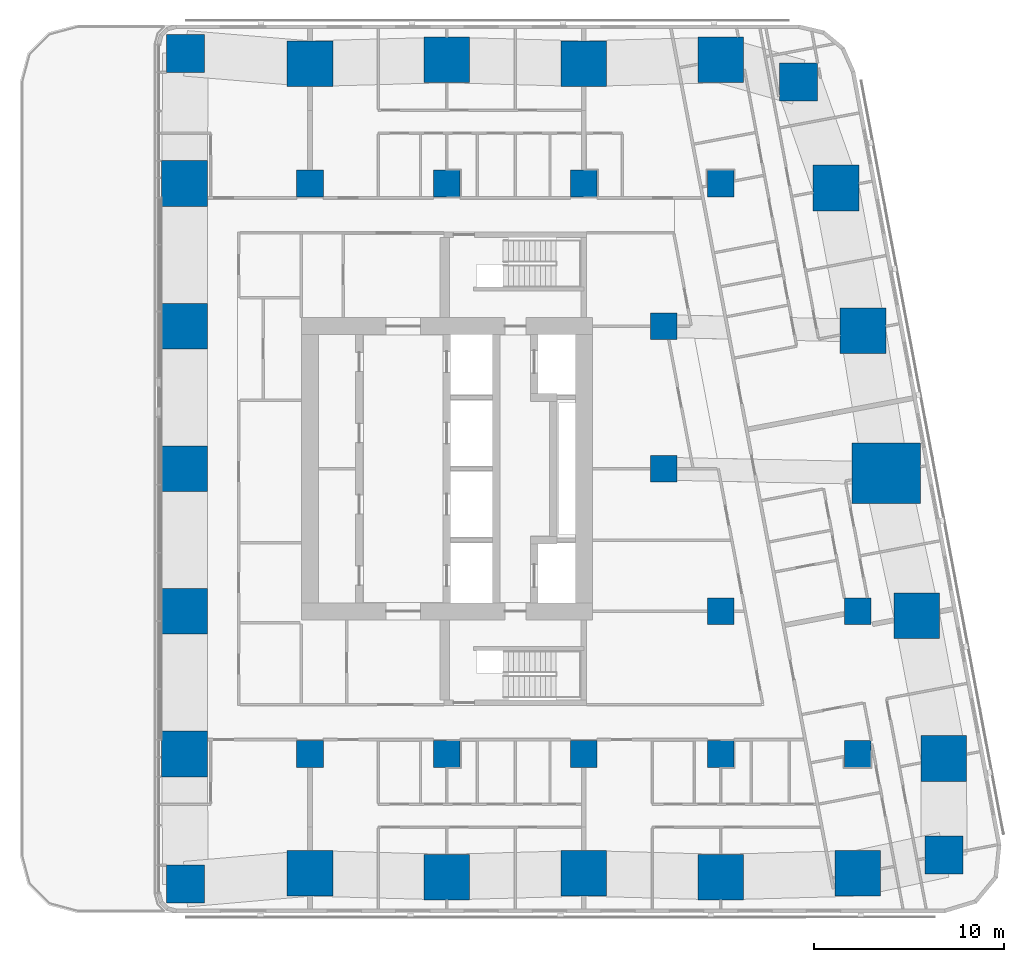
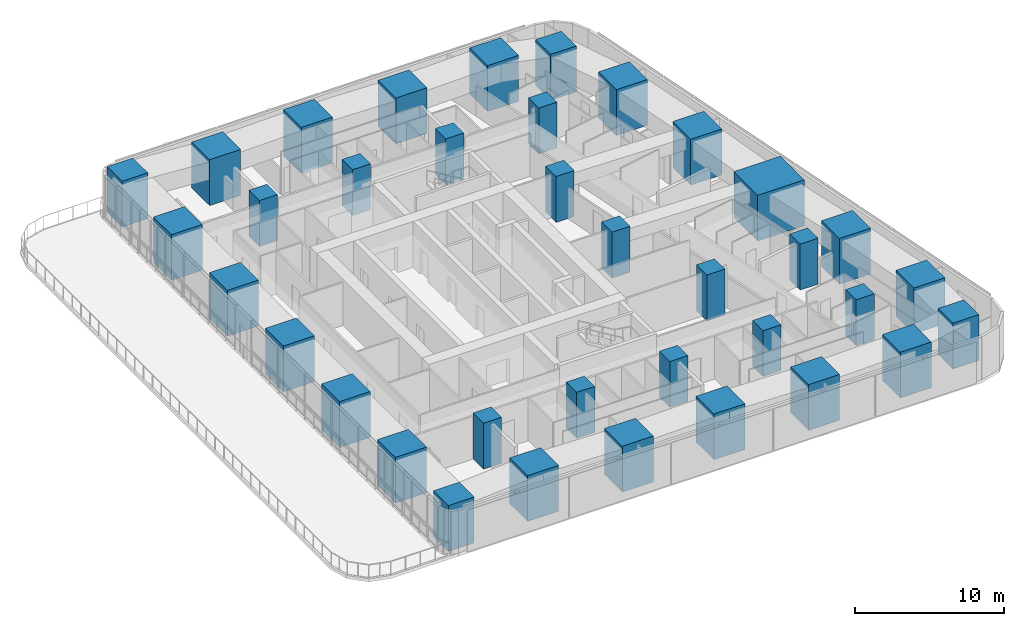
# One storey, part 1 of 17: 36 columns.
"""IFC4 building model written with IfcOpenShell, lengths in metres."""

import ifcopenshell
import ifcopenshell.guid

model = None  # the IFC model being written
_history = None  # IfcOwnerHistory: only IFC2X3 demands one
_inside = {}  # id of a spatial element -> (the spatial element, [elements in it])
_under = {}  # id of a project, library or spatial element -> (it, [spatial elements below it])
_declared = {}  # id of a project -> (the project, [libraries it declares])
_typed = {}  # id of a type object -> (the type object, [elements of that type])
_made_of = {}  # id of a material, layer set ... -> (it, [elements and type objects made of it])


def new_model(schema):
    """Start an empty IFC model of exactly this schema.

    Asked for "IFC4X3", IfcOpenShell would pick the latest addendum, in which some entities
    have other attributes; the version numbers below select the first issue.
    IFC2X3 requires an IfcOwnerHistory on every rooted entity: one is made here for all.
    """
    global model, _history
    if schema == "IFC4X3":
        model = ifcopenshell.file(schema_version=(4, 3, 0, 0))
    else:
        model = ifcopenshell.file(schema=schema)
    _inside.clear()
    _under.clear()
    _declared.clear()
    _typed.clear()
    _made_of.clear()
    _history = None
    if model.schema == "IFC2X3":
        org = make("IfcOrganization", Name="unknown")
        user = make(
            "IfcPersonAndOrganization",
            ThePerson=make("IfcPerson", FamilyName="unknown"),
            TheOrganization=org,
        )
        app = make(
            "IfcApplication",
            ApplicationDeveloper=org,
            Version="unknown",
            ApplicationFullName="unknown",
            ApplicationIdentifier="unknown",
        )
        _history = make(
            "IfcOwnerHistory",
            OwningUser=user,
            OwningApplication=app,
            ChangeAction="ADDED",
            CreationDate=0,
        )
    return model


def make(cls, **values):
    """One entity of the class cls with the attributes given. An attribute that is None is left unset."""
    return model.create_entity(
        cls, **{name: value for name, value in values.items() if value is not None}
    )


def rooted(cls, **values):
    """An entity with a GlobalId (a new one), such as an element, a storey or a relation."""
    return make(cls, GlobalId=ifcopenshell.guid.new(), OwnerHistory=_history, **values)


def si_unit(unit_type, name, prefix=None):
    """IfcSIUnit, for example si_unit("LENGTHUNIT", "METRE", prefix="MILLI")."""
    return make("IfcSIUnit", UnitType=unit_type, Prefix=prefix, Name=name)


def assignment(units):
    """IfcUnitAssignment: the units of a project."""
    return None if units is None else make("IfcUnitAssignment", Units=units)


def point(xyz):
    """IfcCartesianPoint."""
    return None if xyz is None else make("IfcCartesianPoint", Coordinates=xyz)


def direction(xyz):
    """IfcDirection."""
    return None if xyz is None else make("IfcDirection", DirectionRatios=xyz)


def frame(location, z_axis=None, x_axis=None):
    """IfcAxis2Placement3D, a coordinate frame: its origin and axes. An axis left out is left unset."""
    return make(
        "IfcAxis2Placement3D",
        Location=point(location),
        Axis=direction(z_axis),
        RefDirection=direction(x_axis),
    )


def frame_2d(location, x_axis=None):
    """IfcAxis2Placement2D, a coordinate frame in the plane: its origin and x axis."""
    return make(
        "IfcAxis2Placement2D", Location=point(location), RefDirection=direction(x_axis)
    )


def origin():
    """The frame at (0, 0, 0) with its axes left unset."""
    return frame((0.0, 0.0, 0.0))


def origin_2d():
    """The frame at (0, 0) in the plane with its x axis left unset."""
    return frame_2d((0.0, 0.0))


def place(relative_to, where):
    """IfcLocalPlacement: puts the frame where relative to a parent placement (None: the world)."""
    return make(
        "IfcLocalPlacement", PlacementRelTo=relative_to, RelativePlacement=where
    )


def context(
    kind, dimensions, precision=None, world=None, true_north=None, identifier=None
):
    """IfcGeometricRepresentationContext, for example the 3D "Model" context."""
    return make(
        "IfcGeometricRepresentationContext",
        ContextIdentifier=identifier,
        ContextType=kind,
        CoordinateSpaceDimension=dimensions,
        Precision=precision,
        WorldCoordinateSystem=world,
        TrueNorth=true_north,
    )


def subcontext(parent, identifier, kind, view, scale=None):
    """IfcGeometricRepresentationSubContext, for example "Body" below "Model"."""
    return make(
        "IfcGeometricRepresentationSubContext",
        ContextIdentifier=identifier,
        ContextType=kind,
        ParentContext=parent,
        TargetScale=scale,
        TargetView=view,
    )


def project(units=None, contexts=None):
    """IfcProject with its units and contexts."""
    return rooted(
        "IfcProject",
        Name="project",
        RepresentationContexts=contexts,
        UnitsInContext=assignment(units),
    )


def spatial(cls, under=None, at=None, **own):
    """A site, building, storey or space (cls), placed at a placement, below another one or the project."""
    s = rooted(cls, ObjectPlacement=at, **own)
    if under is not None:
        _under.setdefault(under.id(), (under, []))[1].append(s)
    return s


def profile(cls, at=None, kind="AREA", **sizes):
    """A parametric profile (cls). Its sizes go by their IFC names, for example OverallWidth=200.0."""
    return make(cls, ProfileType=kind, Position=at, **sizes)


def rectangle(**sizes):
    """IfcRectangleProfileDef."""
    return profile("IfcRectangleProfileDef", **sizes)


def extrude(swept, where, along, depth):
    """IfcExtrudedAreaSolid: the profile swept, set in the frame where, extruded along a direction by depth."""
    return make(
        "IfcExtrudedAreaSolid",
        SweptArea=swept,
        Position=where,
        ExtrudedDirection=direction(along),
        Depth=depth,
    )


def shape(context_of_items, identifier, shape_type, items):
    """IfcShapeRepresentation: the items that make up one representation, for example the "Body"."""
    return make(
        "IfcShapeRepresentation",
        ContextOfItems=context_of_items,
        RepresentationIdentifier=identifier,
        RepresentationType=shape_type,
        Items=items,
    )


def material(Name=None, Category=None):
    """IfcMaterial."""
    return make("IfcMaterial", Name=Name, Category=Category)


def material_profile(
    of_material, cross_section, Name=None, Category=None, Priority=None
):
    """IfcMaterialProfile: a cross section and its material."""
    return make(
        "IfcMaterialProfile",
        Name=Name,
        Material=of_material,
        Profile=cross_section,
        Priority=Priority,
        Category=Category,
    )


def profile_set(profiles, Name=None, composite=None):
    """IfcMaterialProfileSet."""
    return make(
        "IfcMaterialProfileSet",
        Name=Name,
        MaterialProfiles=profiles,
        CompositeProfile=composite,
    )


def made_of(thing, what):
    """Note that an element or type object is made of a material, layer set ...; save() writes the relation."""
    if what is not None:
        _made_of.setdefault(what.id(), (what, []))[1].append(thing)
    return thing


def type_object(cls, material=None, **own):
    """A type object (cls), such as IfcWallType, which elements share."""
    return made_of(rooted(cls, **own), material)


def element(
    cls,
    number,
    at=None,
    inside=None,
    cuts=None,
    type_object=None,
    material=None,
    context=None,
    identifier="Body",
    shape_type=None,
    held_by="IfcProductDefinitionShape",
    body=None,
    shapes=None,
    **own,
):
    """One element of the class cls, such as IfcWall. Its Tag is "e" and its number.

    at: its placement. inside: the storey or other place that contains it. cuts: it is an
    opening in that element (IfcRelVoidsElement). A single representation is given by context,
    identifier, shape_type and body (its items); several are given by shapes. held_by: the class
    of the entity that holds the representations. save() writes the other relations.
    """
    e = rooted(cls, Tag="e%d" % number, ObjectPlacement=at, **own)
    if body is not None:
        shapes = [shape(context, identifier, shape_type, body)]
    if shapes is not None:
        e.Representation = make(held_by, Representations=shapes)
    if inside is not None:
        _inside.setdefault(inside.id(), (inside, []))[1].append(e)
    if cuts is not None:
        rooted(
            "IfcRelVoidsElement", RelatingBuildingElement=cuts, RelatedOpeningElement=e
        )
    if type_object is not None:
        _typed.setdefault(type_object.id(), (type_object, []))[1].append(e)
    return made_of(e, material)


def aggregate(whole, parts):
    """IfcRelAggregates: a whole, such as a stair, and the parts it consists of."""
    return rooted("IfcRelAggregates", RelatingObject=whole, RelatedObjects=parts)


def save(model, path):
    """Write the relations noted so far, then the file.

    IfcRelAggregates (storeys below a building ...), IfcRelContainedInSpatialStructure (elements
    in a storey), IfcRelDefinesByType, IfcRelAssociatesMaterial and IfcRelDeclares: one each for
    every whole, place, type object, material and project.
    """
    for whole, parts in _under.values():
        aggregate(whole, parts)
    for where, things in _inside.values():
        rooted(
            "IfcRelContainedInSpatialStructure",
            RelatedElements=things,
            RelatingStructure=where,
        )
    for kind, things in _typed.values():
        rooted("IfcRelDefinesByType", RelatedObjects=things, RelatingType=kind)
    for what, things in _made_of.values():
        rooted("IfcRelAssociatesMaterial", RelatedObjects=things, RelatingMaterial=what)
    for by, libraries in _declared.values():
        rooted("IfcRelDeclares", RelatingContext=by, RelatedDefinitions=libraries)
    model.write(path)


model = new_model("IFC4")

# Units and contexts
model_context = context("Model", 3, precision=1e-05, world=origin(), true_north=direction((0.0, 1.0)))
body_context = subcontext(model_context, "Body", "Model", "MODEL_VIEW")
ifc_project = project(units=[si_unit("LENGTHUNIT", "METRE"), si_unit("AREAUNIT", "SQUARE_METRE"), si_unit("VOLUMEUNIT", "CUBIC_METRE"), si_unit("PLANEANGLEUNIT", "RADIAN"), si_unit("MASSUNIT", "GRAM", prefix="KILO")], contexts=[model_context])

# Site, building, storey
site_placement = place(None, origin())
site = spatial("IfcSite", under=ifc_project, at=site_placement, CompositionType="ELEMENT")
building_placement = place(site_placement, origin())
building = spatial("IfcBuilding", under=site, at=building_placement, Name="Sheger Commons Tower", CompositionType="ELEMENT")
storey_placement = place(building_placement, frame((0.0, 0.0, 193.699951171875)))
storey = spatial("IfcBuildingStorey", under=building, at=storey_placement, Name="L49", CompositionType="ELEMENT", Elevation=193.699951171875)

# Columns
ifc_material_1 = material(Name="Concrete C50/60", Category="concrete")
ifc_material_profile_1 = material_profile(ifc_material_1, rectangle(XDim=3.60009765625, YDim=3.199951171875, at=origin_2d()), Name="RC 3600x3200")
ifc_profile_set_1 = profile_set([ifc_material_profile_1], Name="Concrete C50/60")
column_type_1 = type_object("IfcColumnType", Name="COLUMN PIER RC 3600x3200", PredefinedType="COLUMN", material=ifc_profile_set_1)
column_placement = place(storey_placement, frame((44.697021484375, 22.262939453125, 0.0), z_axis=(0.0, 0.0, 1.0), x_axis=(1.0, 0.0, 0.0)))
element("IfcColumn", 1, at=column_placement, inside=storey, type_object=column_type_1, Name="Pier 7/D+E/D L49", PredefinedType="COLUMN", context=body_context, shape_type="SweptSolid", body=[
    extrude(rectangle(XDim=3.60009765625, YDim=3.199951171875, at=origin_2d()), origin(), (0.0, 0.0, 1.0), 3.75),
])
ifc_material_2 = material(Name="Concrete C50/60", Category="concrete")
ifc_material_profile_2 = material_profile(ifc_material_2, rectangle(XDim=1.39990234375, YDim=1.39990234375, at=origin_2d()), Name="RC 1400x1400")
ifc_profile_set_2 = profile_set([ifc_material_profile_2], Name="Concrete C50/60")
column_type_2 = type_object("IfcColumnType", Name="COLUMN RC 1400x1400", PredefinedType="COLUMN", material=ifc_profile_set_2)
for number, where, z_axis, x_axis, name in (
    (2, (14.39990234375, 7.5, 0.0), (0.0, 0.0, 1.0), (1.0, 0.0, 0.0), "Column 3/B L49"),
    (3, (21.60009765625, 7.5, 0.0), (0.0, 0.0, 1.0), (1.0, 0.0, 0.0), "Column 4/B L49"),
    (4, (28.800048828125, 7.5, 0.0), (0.0, 0.0, 1.0), (1.0, 0.0, 0.0), "Column 5/B L49"),
    (5, (36.0, 7.5, 0.0), (0.0, 0.0, 1.0), (1.0, 0.0, 0.0), "Column 6/B L49"),
    (6, (43.199951171875, 7.5, 0.0), (0.0, 0.0, 1.0), (1.0, 0.0, 0.0), "Column 7/B L49"),
    (7, (36.0, 15.0, 0.0), (0.0, 0.0, 1.0), (1.0, 0.0, 0.0), "Column 6/C L49"),
    (8, (43.199951171875, 15.0, 0.0), (0.0, 0.0, 1.0), (1.0, 0.0, 0.0), "Column 7/C L49"),
    (9, (33.0, 22.5, 0.0), (0.0, 0.0, 1.0), (1.0, 0.0, 0.0), "Column 6-3000/D L49"),
    (10, (33.0, 30.0, 0.0), (0.0, 0.0, 1.0), (1.0, 0.0, 0.0), "Column 6-3000/E L49"),
    (11, (14.39990234375, 37.5, 0.0), (0.0, 0.0, 1.0), (1.0, 0.0, 0.0), "Column 3/F L49"),
    (12, (21.60009765625, 37.5, 0.0), (0.0, 0.0, 1.0), (1.0, 0.0, 0.0), "Column 4/F L49"),
    (13, (28.800048828125, 37.5, 0.0), (0.0, 0.0, 1.0), (1.0, 0.0, 0.0), "Column 5/F L49"),
    (14, (36.0, 37.5, 0.0), (0.0, 0.0, 1.0), (1.0, 0.0, 0.0), "Column 6/F L49"),
):
    element("IfcColumn", number, at=place(storey_placement, frame(where, z_axis=z_axis, x_axis=x_axis)), inside=storey, type_object=column_type_2, Name=name, PredefinedType="COLUMN", context=body_context, shape_type="SweptSolid", body=[
        extrude(rectangle(XDim=1.39990234375, YDim=1.39990234375, at=origin_2d()), origin(), (0.0, 0.0, 1.0), 3.75),
    ])
ifc_material_3 = material(Name="Concrete C50/60", Category="concrete")
ifc_material_profile_3 = material_profile(ifc_material_3, rectangle(XDim=2.0, YDim=2.0, at=origin_2d()), Name="RC 2000x2000")
ifc_profile_set_3 = profile_set([ifc_material_profile_3], Name="Concrete C50/60")
column_type_3 = type_object("IfcColumnType", Name="COLUMN RC 2000x2000", PredefinedType="COLUMN", material=ifc_profile_set_3)
for number, where, z_axis, x_axis, name in (
    (15, (7.85400390625, 0.654052734375, 0.0), (0.0, 0.0, 1.0), (1.0, 0.0, 0.0), "Column 2/A L49"),
    (16, (47.748046875, 2.197021484375, 0.0), (0.0, 0.0, 1.0), (1.0, 0.0, 0.0), "Column 49.461,0.778 L49"),
    (17, (40.10205078125, 42.830078125, 0.0), (0.0, 0.0, 1.0), (1.0, 0.0, 0.0), "Column 41.490,44.505 L49"),
    (18, (7.85400390625, 44.345947265625, 0.0), (0.0, 0.0, 1.0), (1.0, 0.0, 0.0), "Column 2/G L49"),
):
    element("IfcColumn", number, at=place(storey_placement, frame(where, z_axis=z_axis, x_axis=x_axis)), inside=storey, type_object=column_type_3, Name=name, PredefinedType="COLUMN", context=body_context, shape_type="SweptSolid", body=[
        extrude(rectangle(XDim=2.0, YDim=2.0, at=origin_2d()), origin(), (0.0, 0.0, 1.0), 3.75),
    ])
ifc_material_4 = material(Name="Concrete C50/60", Category="concrete")
ifc_material_profile_4 = material_profile(ifc_material_4, rectangle(XDim=2.39990234375, YDim=2.39990234375, at=origin_2d()), Name="RC 2400x2400")
ifc_profile_set_4 = profile_set([ifc_material_profile_4], Name="Concrete C50/60")
column_type_4 = type_object("IfcColumnType", Name="COLUMN RC 2400x2400", PredefinedType="COLUMN", material=ifc_profile_set_4)
for number, where, z_axis, x_axis, name in (
    (19, (14.39990234375, 1.22509765625, 0.0), (0.0, 0.0, 1.0), (1.0, 0.0, 0.0), "Column 3/A L49"),
    (20, (21.60009765625, 1.02490234375, 0.0), (0.0, 0.0, 1.0), (1.0, 0.0, 0.0), "Column 4/A L49"),
    (21, (28.800048828125, 1.22509765625, 0.0), (0.0, 0.0, 1.0), (1.0, 0.0, 0.0), "Column 5/A L49"),
    (22, (36.0, 1.02490234375, 0.0), (0.0, 0.0, 1.0), (1.0, 0.0, 0.0), "Column 6/A L49"),
    (23, (43.199951171875, 1.22509765625, 0.0), (0.0, 0.0, 1.0), (1.0, 0.0, 0.0), "Column 7/A L49"),
    (24, (7.800048828125, 7.5, 0.0), (0.0, 0.0, 1.0), (1.0, 0.0, 0.0), "Column 2/B L49"),
    (25, (47.72998046875, 7.262939453125, 0.0), (0.0, 0.0, 1.0), (1.0, 0.0, 0.0), "Column E/B L49"),
    (26, (7.800048828125, 15.0, 0.0), (0.0, 0.0, 1.0), (1.0, 0.0, 0.0), "Column 2/C L49"),
    (27, (46.31396484375, 14.762939453125, 0.0), (0.0, 0.0, 1.0), (1.0, 0.0, 0.0), "Column E/C L49"),
    (28, (7.800048828125, 22.5, 0.0), (0.0, 0.0, 1.0), (1.0, 0.0, 0.0), "Column 2/D L49"),
    (29, (7.800048828125, 30.0, 0.0), (0.0, 0.0, 1.0), (1.0, 0.0, 0.0), "Column 2/E L49"),
    (30, (43.47998046875, 29.762939453125, 0.0), (0.0, 0.0, 1.0), (1.0, 0.0, 0.0), "Column E/E L49"),
    (31, (7.800048828125, 37.5, 0.0), (0.0, 0.0, 1.0), (1.0, 0.0, 0.0), "Column 2/F L49"),
    (32, (42.06396484375, 37.262939453125, 0.0), (0.0, 0.0, 1.0), (1.0, 0.0, 0.0), "Column E/F L49"),
    (33, (14.39990234375, 43.800048828125, 0.0), (0.0, 0.0, 1.0), (1.0, 0.0, 0.0), "Column 3/G L49"),
    (34, (21.60009765625, 44.0, 0.0), (0.0, 0.0, 1.0), (1.0, 0.0, 0.0), "Column 4/G L49"),
    (35, (28.800048828125, 43.800048828125, 0.0), (0.0, 0.0, 1.0), (1.0, 0.0, 0.0), "Column 5/G L49"),
    (36, (36.0, 44.0, 0.0), (0.0, 0.0, 1.0), (1.0, 0.0, 0.0), "Column 6/G L49"),
):
    element("IfcColumn", number, at=place(storey_placement, frame(where, z_axis=z_axis, x_axis=x_axis)), inside=storey, type_object=column_type_4, Name=name, PredefinedType="COLUMN", context=body_context, shape_type="SweptSolid", body=[
        extrude(rectangle(XDim=2.39990234375, YDim=2.39990234375, at=origin_2d()), origin(), (0.0, 0.0, 1.0), 3.75),
    ])

save(model, "model.ifc")
